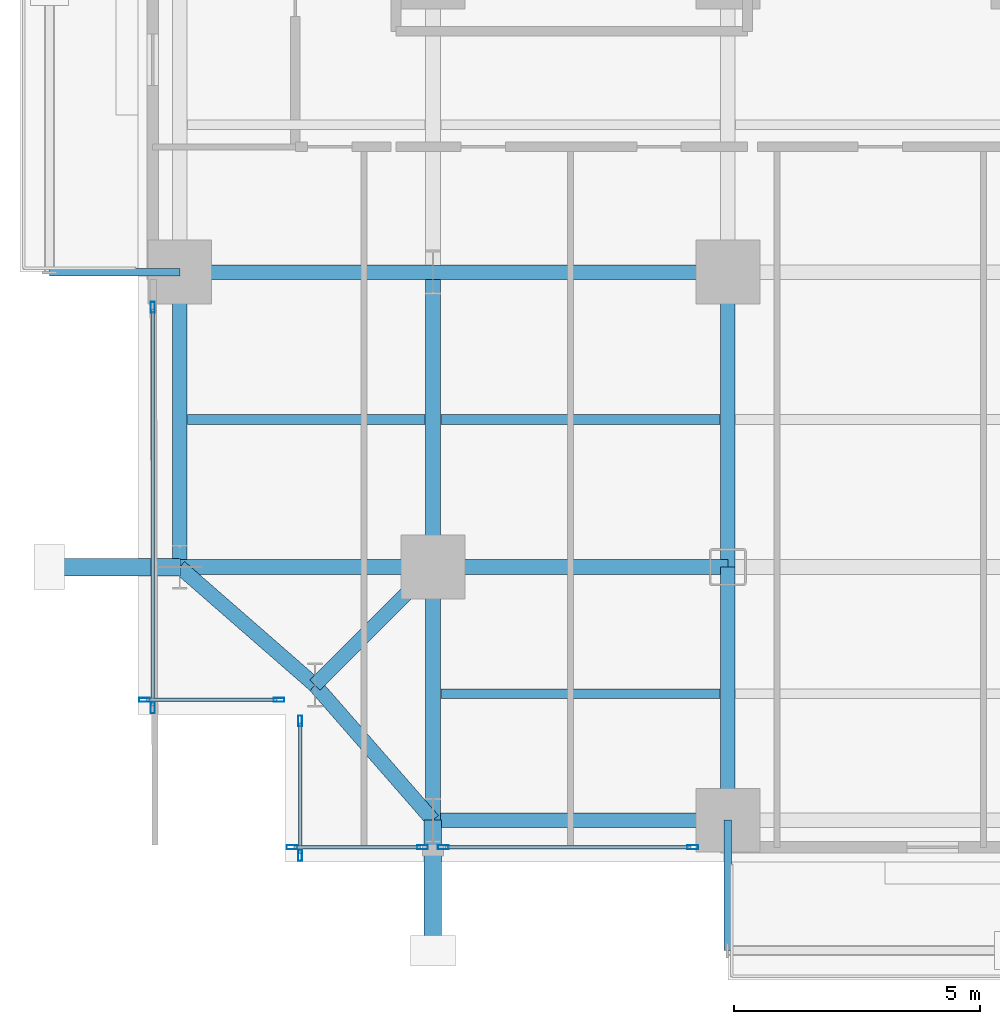
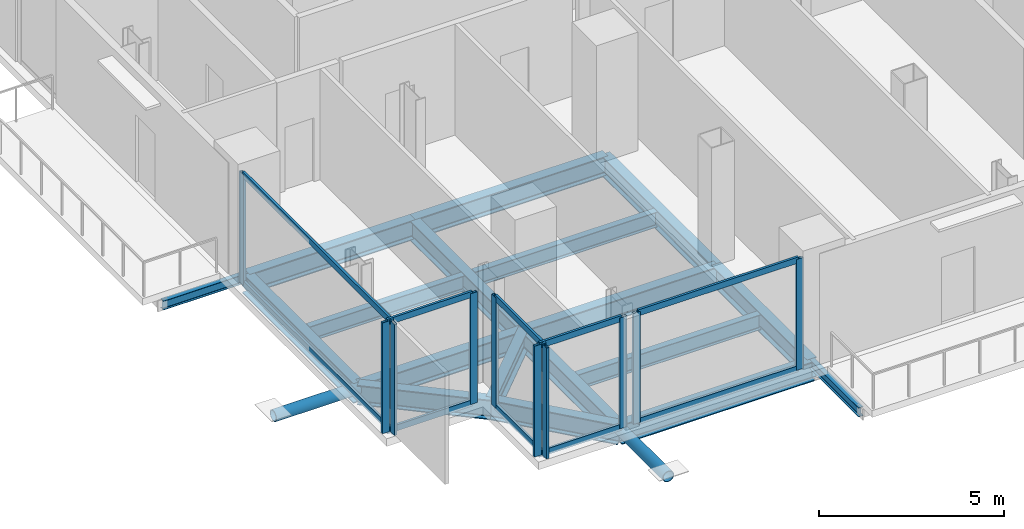
# One storey, part 2 of 25: 22 members, 18 beams, 5 elements without a shape of their own.
"""IFC4 building model written with IfcOpenShell, lengths in metres."""

from ifc_helpers import new_model, si_unit, direction, frame, origin, origin_2d, place, context, subcontext, project, spatial, hollow_rectangle, hollow_circle, i_section, extrude, material, layer, layer_set, material_profile, profile_set, type_object, element, aggregate, save


model = new_model("IFC4")

# Units and contexts
model_context = context("Model", 3, precision=1e-05, world=origin(), true_north=direction((0.0, 1.0)))
body_context = subcontext(model_context, "Body", "Model", "MODEL_VIEW")
ifc_project = project(units=[si_unit("LENGTHUNIT", "METRE"), si_unit("AREAUNIT", "SQUARE_METRE"), si_unit("VOLUMEUNIT", "CUBIC_METRE"), si_unit("PLANEANGLEUNIT", "RADIAN"), si_unit("MASSUNIT", "GRAM", prefix="KILO"), si_unit("THERMODYNAMICTEMPERATUREUNIT", "KELVIN"), si_unit("POWERUNIT", "WATT")], contexts=[model_context])

# Site, building, storey
site_placement = place(None, origin())
site = spatial("IfcSite", under=ifc_project, at=site_placement, CompositionType="ELEMENT")
building_placement = place(site_placement, origin())
building = spatial("IfcBuilding", under=site, at=building_placement, Name="Svarakhadi Broadcast Tower", CompositionType="ELEMENT")
storey_placement = place(building_placement, frame((0.0, 0.0, 48.0)))
storey = spatial("IfcBuildingStorey", under=building, at=storey_placement, Name="L10", CompositionType="ELEMENT", Elevation=48.0)

# Beams
ifc_material_1 = material(Name="Steel S355J2 (IS 2062 E350C)", Category="steel")
ifc_material_profile_1 = material_profile(ifc_material_1, i_section(OverallWidth=0.199951171875, OverallDepth=0.5, WebThickness=0.01025390625, FlangeThickness=0.01611328125, FilletRadius=0.02099609375, at=origin_2d()), Name="NPB 500x200x91")
ifc_profile_set_1 = profile_set([ifc_material_profile_1], Name="Steel S355J2 (IS 2062 E350C)")
beam_type_1 = type_object("IfcBeamType", Name="Beam_NPB500", PredefinedType="BEAM", material=ifc_profile_set_1)
beam_1_placement = place(storey_placement, frame((1.010009765625, 9.0, -0.5), z_axis=(1.0, 0.0, 0.0), x_axis=(0.0, 1.0, 0.0)))
element("IfcBeam", 1, at=beam_1_placement, inside=storey, type_object=beam_type_1, Name="L10 Secondary Composite Beam SB001", PredefinedType="BEAM", context=body_context, shape_type="SweptSolid", body=[
    extrude(i_section(OverallWidth=0.199951171875, OverallDepth=0.5, WebThickness=0.01025390625, FlangeThickness=0.01611328125, FilletRadius=0.02099609375, at=origin_2d()), origin(), (0.0, 0.0, 1.0), 4.830078125),
])
for number, where, z_axis, x_axis, name in (
    (2, (6.159912109375, 3.425048828125, -0.5), (1.0, 0.0, 0.0), (0.0, 1.0, 0.0), "L10 Secondary Composite Beam SB007"),
    (3, (6.159912109375, 9.0, -0.5), (1.0, 0.0, 0.0), (0.0, 1.0, 0.0), "L10 Secondary Composite Beam SB008"),
):
    element("IfcBeam", number, at=place(storey_placement, frame(where, z_axis=z_axis, x_axis=x_axis)), inside=storey, type_object=beam_type_1, Name=name, PredefinedType="BEAM", context=body_context, shape_type="SweptSolid", body=[
        extrude(i_section(OverallWidth=0.199951171875, OverallDepth=0.5, WebThickness=0.01025390625, FlangeThickness=0.01611328125, FilletRadius=0.02099609375, at=origin_2d()), origin(), (0.0, 0.0, 1.0), 5.68017578125),
    ])

# Curtain wall, members
ifc_material_2 = material(Name="Anodised Bronze Aluminium AA 6063-T6", Category="aluminium")
ifc_layer = layer(ifc_material_2, 0.219970703125)
ifc_layer_set = layer_set([ifc_layer], Name="Anodised Bronze Aluminium AA 6063-T6")
curtain_wall_type = type_object("IfcCurtainWallType", Name="CW_Sys_02", PredefinedType="NOTDEFINED", material=ifc_layer_set)
curtain_wall_1_placement = place(storey_placement, origin())
curtain_wall_1 = element("IfcCurtainWall", 4, at=curtain_wall_1_placement, inside=storey, type_object=curtain_wall_type, Name="L10 Unitised Facade Curtain Wall 01", PredefinedType="NOTDEFINED")
ifc_material_profile_2 = material_profile(ifc_material_2, hollow_rectangle(XDim=0.0849609375, YDim=0.219970703125, WallThickness=0.006103515625, at=origin_2d()), Name="ALU MULLION 220x85x6")
ifc_profile_set_2 = profile_set([ifc_material_profile_2], Name="Anodised Bronze Aluminium AA 6063-T6")
member_type_1 = type_object("IfcMemberType", Name="CW_Sys_02_Mul", PredefinedType="MULLION", material=ifc_profile_set_2)
member_1_placement = place(storey_placement, frame((2.867431640625, 3.300048828125, 0.0), z_axis=(0.0, 0.0, 1.0), x_axis=(0.0, -1.0, 0.0)))
member_1 = element("IfcMember", 5, at=member_1_placement, type_object=member_type_1, Name="CW-02 mullion 1", PredefinedType="MULLION", context=body_context, shape_type="SweptSolid", body=[
    extrude(hollow_rectangle(XDim=0.0849609375, YDim=0.219970703125, WallThickness=0.006103515625, at=origin_2d()), origin(), (0.0, 0.0, 1.0), 3.64990234375),
])
member_2_placement = place(storey_placement, frame((0.132568359375, 3.300048828125, 0.0), z_axis=(0.0, 0.0, 1.0), x_axis=(0.0, -1.0, 0.0)))
member_2 = element("IfcMember", 6, at=member_2_placement, type_object=member_type_1, Name="CW-02 mullion 2", PredefinedType="MULLION", context=body_context, shape_type="SweptSolid", body=[
    extrude(hollow_rectangle(XDim=0.0849609375, YDim=0.219970703125, WallThickness=0.006103515625, at=origin_2d()), origin(), (0.0, 0.0, 1.0), 3.64990234375),
])

curtain_wall_2_placement = place(storey_placement, origin())
curtain_wall_2 = element("IfcCurtainWall", 7, at=curtain_wall_2_placement, inside=storey, type_object=curtain_wall_type, Name="L10 West Curtain Wall 02", PredefinedType="NOTDEFINED")
member_3_placement = place(storey_placement, frame((0.300048828125, 3.132568359375, 0.0), z_axis=(0.0, 0.0, 1.0), x_axis=(-1.0, 0.0, 0.0)))
member_3 = element("IfcMember", 8, at=member_3_placement, type_object=member_type_1, Name="CW-02 mullion 1", PredefinedType="MULLION", context=body_context, shape_type="SweptSolid", body=[
    extrude(hollow_rectangle(XDim=0.0849609375, YDim=0.219970703125, WallThickness=0.006103515625, at=origin_2d()), origin(), (0.0, 0.0, 1.0), 3.64990234375),
])
member_4_placement = place(storey_placement, frame((0.300048828125, 11.28759765625, 0.0), z_axis=(0.0, 0.0, 1.0), x_axis=(-1.0, 0.0, 0.0)))
member_4 = element("IfcMember", 9, at=member_4_placement, type_object=member_type_1, Name="CW-02 mullion 2", PredefinedType="MULLION", context=body_context, shape_type="SweptSolid", body=[
    extrude(hollow_rectangle(XDim=0.0849609375, YDim=0.219970703125, WallThickness=0.006103515625, at=origin_2d()), origin(), (0.0, 0.0, 1.0), 3.64990234375),
])

curtain_wall_3_placement = place(storey_placement, origin())
curtain_wall_3 = element("IfcCurtainWall", 10, at=curtain_wall_3_placement, inside=storey, type_object=curtain_wall_type, Name="L10 South Curtain Wall 17 Bay 1", PredefinedType="NOTDEFINED")
member_5_placement = place(storey_placement, frame((11.28759765625, 0.300048828125, 0.0), z_axis=(0.0, 0.0, 1.0), x_axis=(0.0, -1.0, 0.0)))
member_5 = element("IfcMember", 11, at=member_5_placement, type_object=member_type_1, Name="CW-02 mullion 1", PredefinedType="MULLION", context=body_context, shape_type="SweptSolid", body=[
    extrude(hollow_rectangle(XDim=0.0849609375, YDim=0.219970703125, WallThickness=0.006103515625, at=origin_2d()), origin(), (0.0, 0.0, 1.0), 3.64990234375),
])
member_6_placement = place(storey_placement, frame((6.21240234375, 0.300048828125, 0.0), z_axis=(0.0, 0.0, 1.0), x_axis=(0.0, -1.0, 0.0)))
member_6 = element("IfcMember", 12, at=member_6_placement, type_object=member_type_1, Name="CW-02 mullion 2", PredefinedType="MULLION", context=body_context, shape_type="SweptSolid", body=[
    extrude(hollow_rectangle(XDim=0.0849609375, YDim=0.219970703125, WallThickness=0.006103515625, at=origin_2d()), origin(), (0.0, 0.0, 1.0), 3.64990234375),
])

curtain_wall_4_placement = place(storey_placement, origin())
curtain_wall_4 = element("IfcCurtainWall", 13, at=curtain_wall_4_placement, inside=storey, type_object=curtain_wall_type, Name="L10 South Curtain Wall 17 Bay 2", PredefinedType="NOTDEFINED")
member_7_placement = place(storey_placement, frame((5.78759765625, 0.300048828125, 0.0), z_axis=(0.0, 0.0, 1.0), x_axis=(0.0, -1.0, 0.0)))
member_7 = element("IfcMember", 14, at=member_7_placement, type_object=member_type_1, Name="CW-02 mullion 1", PredefinedType="MULLION", context=body_context, shape_type="SweptSolid", body=[
    extrude(hollow_rectangle(XDim=0.0849609375, YDim=0.219970703125, WallThickness=0.006103515625, at=origin_2d()), origin(), (0.0, 0.0, 1.0), 3.64990234375),
])
member_8_placement = place(storey_placement, frame((3.132568359375, 0.300048828125, 0.0), z_axis=(0.0, 0.0, 1.0), x_axis=(0.0, -1.0, 0.0)))
member_8 = element("IfcMember", 15, at=member_8_placement, type_object=member_type_1, Name="CW-02 mullion 2", PredefinedType="MULLION", context=body_context, shape_type="SweptSolid", body=[
    extrude(hollow_rectangle(XDim=0.0849609375, YDim=0.219970703125, WallThickness=0.006103515625, at=origin_2d()), origin(), (0.0, 0.0, 1.0), 3.64990234375),
])

curtain_wall_5_placement = place(storey_placement, origin())
curtain_wall_5 = element("IfcCurtainWall", 16, at=curtain_wall_5_placement, inside=storey, type_object=curtain_wall_type, Name="L10 Unitised Facade Curtain Wall 18", PredefinedType="NOTDEFINED")
member_9_placement = place(storey_placement, frame((3.300048828125, 0.132568359375, 0.0), z_axis=(0.0, 0.0, 1.0), x_axis=(-1.0, 0.0, 0.0)))
member_9 = element("IfcMember", 17, at=member_9_placement, type_object=member_type_1, Name="CW-02 mullion 1", PredefinedType="MULLION", context=body_context, shape_type="SweptSolid", body=[
    extrude(hollow_rectangle(XDim=0.0849609375, YDim=0.219970703125, WallThickness=0.006103515625, at=origin_2d()), origin(), (0.0, 0.0, 1.0), 3.64990234375),
])
member_10_placement = place(storey_placement, frame((3.300048828125, 2.867431640625, 0.0), z_axis=(0.0, 0.0, 1.0), x_axis=(-1.0, 0.0, 0.0)))
member_10 = element("IfcMember", 18, at=member_10_placement, type_object=member_type_1, Name="CW-02 mullion 2", PredefinedType="MULLION", context=body_context, shape_type="SweptSolid", body=[
    extrude(hollow_rectangle(XDim=0.0849609375, YDim=0.219970703125, WallThickness=0.006103515625, at=origin_2d()), origin(), (0.0, 0.0, 1.0), 3.64990234375),
])

# Member
ifc_material_profile_3 = material_profile(ifc_material_2, hollow_rectangle(XDim=0.074951171875, YDim=0.199951171875, WallThickness=0.0048828125, at=origin_2d()), Name="ALU TRANSOM 200x75x5")
ifc_profile_set_3 = profile_set([ifc_material_profile_3], Name="Anodised Bronze Aluminium AA 6063-T6")
member_type_2 = type_object("IfcMemberType", Name="CW_Sys_02_Trn", PredefinedType="USERDEFINED", material=ifc_profile_set_3)
member_11_placement = place(storey_placement, frame((2.824951171875, 3.300048828125, 0.03759765625), z_axis=(-1.0, 0.0, 0.0), x_axis=(0.0, -1.0, 0.0)))
member_11 = element("IfcMember", 19, at=member_11_placement, type_object=member_type_2, Name="CW-02 transom 1.1", ObjectType="TRANSOM", PredefinedType="USERDEFINED", context=body_context, shape_type="SweptSolid", body=[
    extrude(hollow_rectangle(XDim=0.074951171875, YDim=0.199951171875, WallThickness=0.0048828125, at=origin_2d()), origin(), (0.0, 0.0, 1.0), 2.64990234375),
])

member_12_placement = place(storey_placement, frame((2.824951171875, 3.300048828125, 3.612548828125), z_axis=(-1.0, 0.0, 0.0), x_axis=(0.0, -1.0, 0.0)))
member_12 = element("IfcMember", 20, at=member_12_placement, type_object=member_type_2, Name="CW-02 transom 1.2", ObjectType="TRANSOM", PredefinedType="USERDEFINED", context=body_context, shape_type="SweptSolid", body=[
    extrude(hollow_rectangle(XDim=0.074951171875, YDim=0.199951171875, WallThickness=0.0048828125, at=origin_2d()), origin(), (0.0, 0.0, 1.0), 2.64990234375),
])

aggregate(curtain_wall_1, [member_1, member_2, member_11, member_12])

member_13_placement = place(storey_placement, frame((0.300048828125, 3.175048828125, 0.03759765625), z_axis=(0.0, 1.0, 0.0), x_axis=(-1.0, 0.0, 0.0)))
member_13 = element("IfcMember", 21, at=member_13_placement, type_object=member_type_2, Name="CW-02 transom 1.1", ObjectType="TRANSOM", PredefinedType="USERDEFINED", context=body_context, shape_type="SweptSolid", body=[
    extrude(hollow_rectangle(XDim=0.074951171875, YDim=0.199951171875, WallThickness=0.0048828125, at=origin_2d()), origin(), (0.0, 0.0, 1.0), 8.070068359375),
])

member_14_placement = place(storey_placement, frame((0.300048828125, 3.175048828125, 3.612548828125), z_axis=(0.0, 1.0, 0.0), x_axis=(-1.0, 0.0, 0.0)))
member_14 = element("IfcMember", 22, at=member_14_placement, type_object=member_type_2, Name="CW-02 transom 1.2", ObjectType="TRANSOM", PredefinedType="USERDEFINED", context=body_context, shape_type="SweptSolid", body=[
    extrude(hollow_rectangle(XDim=0.074951171875, YDim=0.199951171875, WallThickness=0.0048828125, at=origin_2d()), origin(), (0.0, 0.0, 1.0), 8.070068359375),
])

aggregate(curtain_wall_2, [member_3, member_4, member_13, member_14])

member_15_placement = place(storey_placement, frame((11.2451171875, 0.300048828125, 0.03759765625), z_axis=(-1.0, 0.0, 0.0), x_axis=(0.0, -1.0, 0.0)))
member_15 = element("IfcMember", 23, at=member_15_placement, type_object=member_type_2, Name="CW-02 transom 1.1", ObjectType="TRANSOM", PredefinedType="USERDEFINED", context=body_context, shape_type="SweptSolid", body=[
    extrude(hollow_rectangle(XDim=0.074951171875, YDim=0.199951171875, WallThickness=0.0048828125, at=origin_2d()), origin(), (0.0, 0.0, 1.0), 4.990234375),
])

member_16_placement = place(storey_placement, frame((11.2451171875, 0.300048828125, 3.612548828125), z_axis=(-1.0, 0.0, 0.0), x_axis=(0.0, -1.0, 0.0)))
member_16 = element("IfcMember", 24, at=member_16_placement, type_object=member_type_2, Name="CW-02 transom 1.2", ObjectType="TRANSOM", PredefinedType="USERDEFINED", context=body_context, shape_type="SweptSolid", body=[
    extrude(hollow_rectangle(XDim=0.074951171875, YDim=0.199951171875, WallThickness=0.0048828125, at=origin_2d()), origin(), (0.0, 0.0, 1.0), 4.990234375),
])

aggregate(curtain_wall_3, [member_5, member_6, member_15, member_16])

member_17_placement = place(storey_placement, frame((5.7451171875, 0.300048828125, 0.03759765625), z_axis=(-1.0, 0.0, 0.0), x_axis=(0.0, -1.0, 0.0)))
member_17 = element("IfcMember", 25, at=member_17_placement, type_object=member_type_2, Name="CW-02 transom 1.1", ObjectType="TRANSOM", PredefinedType="USERDEFINED", context=body_context, shape_type="SweptSolid", body=[
    extrude(hollow_rectangle(XDim=0.074951171875, YDim=0.199951171875, WallThickness=0.0048828125, at=origin_2d()), origin(), (0.0, 0.0, 1.0), 2.570068359375),
])

member_18_placement = place(storey_placement, frame((5.7451171875, 0.300048828125, 3.612548828125), z_axis=(-1.0, 0.0, 0.0), x_axis=(0.0, -1.0, 0.0)))
member_18 = element("IfcMember", 26, at=member_18_placement, type_object=member_type_2, Name="CW-02 transom 1.2", ObjectType="TRANSOM", PredefinedType="USERDEFINED", context=body_context, shape_type="SweptSolid", body=[
    extrude(hollow_rectangle(XDim=0.074951171875, YDim=0.199951171875, WallThickness=0.0048828125, at=origin_2d()), origin(), (0.0, 0.0, 1.0), 2.570068359375),
])

aggregate(curtain_wall_4, [member_7, member_8, member_17, member_18])

member_19_placement = place(storey_placement, frame((3.300048828125, 0.175048828125, 0.03759765625), z_axis=(0.0, 1.0, 0.0), x_axis=(-1.0, 0.0, 0.0)))
member_19 = element("IfcMember", 27, at=member_19_placement, type_object=member_type_2, Name="CW-02 transom 1.1", ObjectType="TRANSOM", PredefinedType="USERDEFINED", context=body_context, shape_type="SweptSolid", body=[
    extrude(hollow_rectangle(XDim=0.074951171875, YDim=0.199951171875, WallThickness=0.0048828125, at=origin_2d()), origin(), (0.0, 0.0, 1.0), 2.64990234375),
])

member_20_placement = place(storey_placement, frame((3.300048828125, 0.175048828125, 3.612548828125), z_axis=(0.0, 1.0, 0.0), x_axis=(-1.0, 0.0, 0.0)))
member_20 = element("IfcMember", 28, at=member_20_placement, type_object=member_type_2, Name="CW-02 transom 1.2", ObjectType="TRANSOM", PredefinedType="USERDEFINED", context=body_context, shape_type="SweptSolid", body=[
    extrude(hollow_rectangle(XDim=0.074951171875, YDim=0.199951171875, WallThickness=0.0048828125, at=origin_2d()), origin(), (0.0, 0.0, 1.0), 2.64990234375),
])

aggregate(curtain_wall_5, [member_9, member_10, member_19, member_20])

# Members
ifc_material_3 = material(Name="Steel S460ML (IS 2062 E450BR)", Category="steel")
ifc_material_profile_4 = material_profile(ifc_material_3, hollow_circle(Radius=0.177734375, WallThickness=0.02001953125, at=origin_2d()), Name="CHS 355.6x20")
ifc_profile_set_4 = profile_set([ifc_material_profile_4], Name="Steel S460ML (IS 2062 E450BR)")
member_type_3 = type_object("IfcMemberType", Name="Exo_Radial_Strut_Z1", PredefinedType="STRUT", material=ifc_profile_set_4)
for number, where, z_axis, x_axis, name in (
    (29, (6.0, -1.800048828125, -0.427734375), (0.0, 1.0, 0.0), (-1.0, 0.0, 0.0), "L10 Exoskeleton Radial Tie Strut S01"),
    (30, (-1.800048828125, 6.0, -0.427734375), (1.0, 0.0, 0.0), (0.0, 1.0, 0.0), "L10 Exoskeleton Radial Tie Strut W05"),
):
    element("IfcMember", number, at=place(storey_placement, frame(where, z_axis=z_axis, x_axis=x_axis)), inside=storey, type_object=member_type_3, Name=name, PredefinedType="STRUT", context=body_context, shape_type="SweptSolid", body=[
        extrude(hollow_circle(Radius=0.177734375, WallThickness=0.02001953125, at=origin_2d()), origin(), (0.0, 0.0, 1.0), 2.650146484375),
    ])

# Beams
ifc_material_profile_5 = material_profile(ifc_material_1, i_section(OverallWidth=0.300048828125, OverallDepth=0.64990234375, WebThickness=0.01611328125, FlangeThickness=0.031005859375, FilletRadius=0.027099609375, at=origin_2d()), Name="WPB 650x300x225")
ifc_profile_set_5 = profile_set([ifc_material_profile_5], Name="Steel S355J2 (IS 2062 E350C)")
beam_type_2 = type_object("IfcBeamType", Name="Girder_WPB650", PredefinedType="USERDEFINED", material=ifc_profile_set_5)
beam_2_placement = place(storey_placement, frame((3.60009765625, 3.60009765625, -0.574951171875), z_axis=(0.707106781187, 0.707106781187, 0.0), x_axis=(-0.707106781187, 0.707106781187, 0.0)))
element("IfcBeam", 31, at=beam_2_placement, inside=storey, type_object=beam_type_2, Name="L10 Corner Tie Girder G001", ObjectType="GIRDER", PredefinedType="USERDEFINED", context=body_context, shape_type="SweptSolid", body=[
    extrude(i_section(OverallWidth=0.300048828125, OverallDepth=0.64990234375, WebThickness=0.01611328125, FlangeThickness=0.031005859375, FilletRadius=0.027099609375, at=origin_2d()), origin(), (0.0, 0.0, 1.0), 3.39404296875),
])
for number, where, z_axis, x_axis, name in (
    (32, (3.60009765625, 3.60009765625, -0.574951171875), (-0.753437912176, 0.657519058655, 0.0), (-0.657519058655, -0.753437912176, 0.0), "L10 Corner Tie Girder G002"),
    (33, (3.60009765625, 3.60009765625, -0.574951171875), (0.657519058655, -0.753437912176, 0.0), (0.753437912176, 0.657519058655, 0.0), "L10 Corner Tie Girder G003"),
):
    element("IfcBeam", number, at=place(storey_placement, frame(where, z_axis=z_axis, x_axis=x_axis)), inside=storey, type_object=beam_type_2, Name=name, ObjectType="GIRDER", PredefinedType="USERDEFINED", context=body_context, shape_type="SweptSolid", body=[
        extrude(i_section(OverallWidth=0.300048828125, OverallDepth=0.64990234375, WebThickness=0.01611328125, FlangeThickness=0.031005859375, FilletRadius=0.027099609375, at=origin_2d()), origin(), (0.0, 0.0, 1.0), 3.64990234375),
    ])
beam_3_placement = place(storey_placement, frame((6.0, 0.85009765625, -0.574951171875), z_axis=(1.0, 0.0, 0.0), x_axis=(0.0, 1.0, 0.0)))
element("IfcBeam", 34, at=beam_3_placement, inside=storey, type_object=beam_type_2, Name="L10 Primary E-W Girder G004", ObjectType="GIRDER", PredefinedType="USERDEFINED", context=body_context, shape_type="SweptSolid", body=[
    extrude(i_section(OverallWidth=0.300048828125, OverallDepth=0.64990234375, WebThickness=0.01611328125, FlangeThickness=0.031005859375, FilletRadius=0.027099609375, at=origin_2d()), origin(), (0.0, 0.0, 1.0), 6.0),
])
beam_4_placement = place(storey_placement, frame((0.85009765625, 6.0, -0.574951171875), z_axis=(1.0, 0.0, 0.0), x_axis=(0.0, 1.0, 0.0)))
element("IfcBeam", 35, at=beam_4_placement, inside=storey, type_object=beam_type_2, Name="L10 Primary E-W Girder G011", ObjectType="GIRDER", PredefinedType="USERDEFINED", context=body_context, shape_type="SweptSolid", body=[
    extrude(i_section(OverallWidth=0.300048828125, OverallDepth=0.64990234375, WebThickness=0.01611328125, FlangeThickness=0.031005859375, FilletRadius=0.027099609375, at=origin_2d()), origin(), (0.0, 0.0, 1.0), 5.14990234375),
])
beam_5_placement = place(storey_placement, frame((6.0, 6.0, -0.574951171875), z_axis=(1.0, 0.0, 0.0), x_axis=(0.0, 1.0, 0.0)))
element("IfcBeam", 36, at=beam_5_placement, inside=storey, type_object=beam_type_2, Name="L10 Primary E-W Girder G012", ObjectType="GIRDER", PredefinedType="USERDEFINED", context=body_context, shape_type="SweptSolid", body=[
    extrude(i_section(OverallWidth=0.300048828125, OverallDepth=0.64990234375, WebThickness=0.01611328125, FlangeThickness=0.031005859375, FilletRadius=0.027099609375, at=origin_2d()), origin(), (0.0, 0.0, 1.0), 6.0),
])
beam_6_placement = place(storey_placement, frame((0.85009765625, 12.0, -0.574951171875), z_axis=(1.0, 0.0, 0.0), x_axis=(0.0, 1.0, 0.0)))
element("IfcBeam", 37, at=beam_6_placement, inside=storey, type_object=beam_type_2, Name="L10 Primary E-W Girder G019", ObjectType="GIRDER", PredefinedType="USERDEFINED", context=body_context, shape_type="SweptSolid", body=[
    extrude(i_section(OverallWidth=0.300048828125, OverallDepth=0.64990234375, WebThickness=0.01611328125, FlangeThickness=0.031005859375, FilletRadius=0.027099609375, at=origin_2d()), origin(), (0.0, 0.0, 1.0), 5.14990234375),
])
for number, where, z_axis, x_axis, name in (
    (38, (6.0, 12.0, -0.574951171875), (1.0, 0.0, 0.0), (0.0, 1.0, 0.0), "L10 Primary E-W Girder G020"),
    (39, (0.85009765625, 6.0, -0.574951171875), (0.0, 1.0, 0.0), (-1.0, 0.0, 0.0), "L10 Primary N-S Girder G045"),
):
    element("IfcBeam", number, at=place(storey_placement, frame(where, z_axis=z_axis, x_axis=x_axis)), inside=storey, type_object=beam_type_2, Name=name, ObjectType="GIRDER", PredefinedType="USERDEFINED", context=body_context, shape_type="SweptSolid", body=[
        extrude(i_section(OverallWidth=0.300048828125, OverallDepth=0.64990234375, WebThickness=0.01611328125, FlangeThickness=0.031005859375, FilletRadius=0.027099609375, at=origin_2d()), origin(), (0.0, 0.0, 1.0), 6.0),
    ])
beam_7_placement = place(storey_placement, frame((6.0, 0.85009765625, -0.574951171875), z_axis=(0.0, 1.0, 0.0), x_axis=(-1.0, 0.0, 0.0)))
element("IfcBeam", 40, at=beam_7_placement, inside=storey, type_object=beam_type_2, Name="L10 Primary N-S Girder G051", ObjectType="GIRDER", PredefinedType="USERDEFINED", context=body_context, shape_type="SweptSolid", body=[
    extrude(i_section(OverallWidth=0.300048828125, OverallDepth=0.64990234375, WebThickness=0.01611328125, FlangeThickness=0.031005859375, FilletRadius=0.027099609375, at=origin_2d()), origin(), (0.0, 0.0, 1.0), 5.14990234375),
])
beam_8_placement = place(storey_placement, frame((6.0, 6.0, -0.574951171875), z_axis=(0.0, 1.0, 0.0), x_axis=(-1.0, 0.0, 0.0)))
element("IfcBeam", 41, at=beam_8_placement, inside=storey, type_object=beam_type_2, Name="L10 Primary N-S Girder G052", ObjectType="GIRDER", PredefinedType="USERDEFINED", context=body_context, shape_type="SweptSolid", body=[
    extrude(i_section(OverallWidth=0.300048828125, OverallDepth=0.64990234375, WebThickness=0.01611328125, FlangeThickness=0.031005859375, FilletRadius=0.027099609375, at=origin_2d()), origin(), (0.0, 0.0, 1.0), 6.0),
])
beam_9_placement = place(storey_placement, frame((12.0, 0.85009765625, -0.574951171875), z_axis=(0.0, 1.0, 0.0), x_axis=(-1.0, 0.0, 0.0)))
element("IfcBeam", 42, at=beam_9_placement, inside=storey, type_object=beam_type_2, Name="L10 Primary N-S Girder G058", ObjectType="GIRDER", PredefinedType="USERDEFINED", context=body_context, shape_type="SweptSolid", body=[
    extrude(i_section(OverallWidth=0.300048828125, OverallDepth=0.64990234375, WebThickness=0.01611328125, FlangeThickness=0.031005859375, FilletRadius=0.027099609375, at=origin_2d()), origin(), (0.0, 0.0, 1.0), 5.14990234375),
])
beam_10_placement = place(storey_placement, frame((12.0, 6.0, -0.574951171875), z_axis=(0.0, 1.0, 0.0), x_axis=(-1.0, 0.0, 0.0)))
element("IfcBeam", 43, at=beam_10_placement, inside=storey, type_object=beam_type_2, Name="L10 Primary N-S Girder G059", ObjectType="GIRDER", PredefinedType="USERDEFINED", context=body_context, shape_type="SweptSolid", body=[
    extrude(i_section(OverallWidth=0.300048828125, OverallDepth=0.64990234375, WebThickness=0.01611328125, FlangeThickness=0.031005859375, FilletRadius=0.027099609375, at=origin_2d()), origin(), (0.0, 0.0, 1.0), 6.0),
])
ifc_material_profile_6 = material_profile(ifc_material_1, i_section(OverallWidth=0.14990234375, OverallDepth=0.300048828125, WebThickness=0.007080078125, FlangeThickness=0.0107421875, FilletRadius=0.014892578125, at=origin_2d()), Name="NPB 300x150x37")
ifc_profile_set_6 = profile_set([ifc_material_profile_6], Name="Steel S355J2 (IS 2062 E350C)")
beam_type_3 = type_object("IfcBeamType", Name="Spandrel_NPB300", PredefinedType="SPANDREL", material=ifc_profile_set_6)
for number, where, z_axis, x_axis, name in (
    (44, (12.0, 0.85009765625, -0.39990234375), (0.0, -1.0, 0.0), (1.0, 0.0, 0.0), "L10 Balcony Cantilever Bracket 1A"),
    (45, (0.85009765625, 12.0, -0.39990234375), (-1.0, 0.0, 0.0), (0.0, -1.0, 0.0), "L10 Balcony Cantilever Bracket 2A"),
):
    element("IfcBeam", number, at=place(storey_placement, frame(where, z_axis=z_axis, x_axis=x_axis)), inside=storey, type_object=beam_type_3, Name=name, PredefinedType="SPANDREL", context=body_context, shape_type="SweptSolid", body=[
        extrude(i_section(OverallWidth=0.14990234375, OverallDepth=0.300048828125, WebThickness=0.007080078125, FlangeThickness=0.0107421875, FilletRadius=0.014892578125, at=origin_2d()), origin(), (0.0, 0.0, 1.0), 2.650146484375),
    ])

save(model, "model.ifc")
